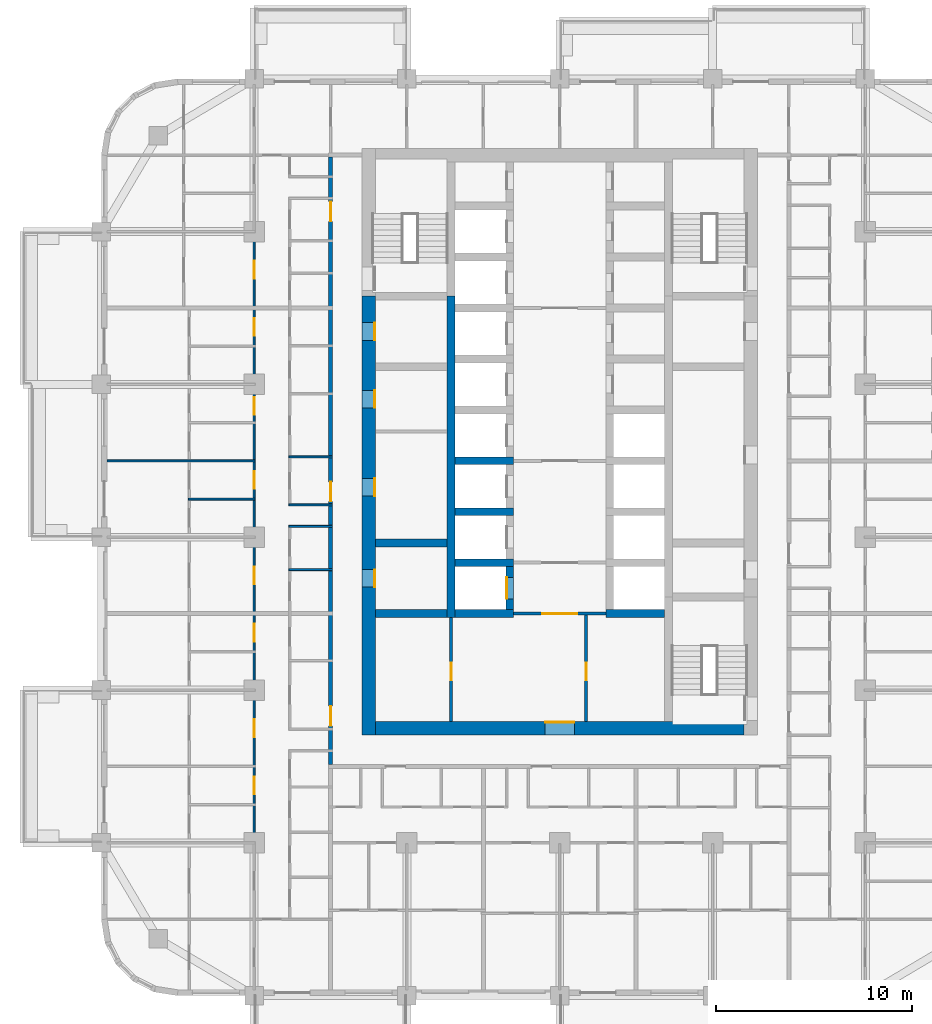
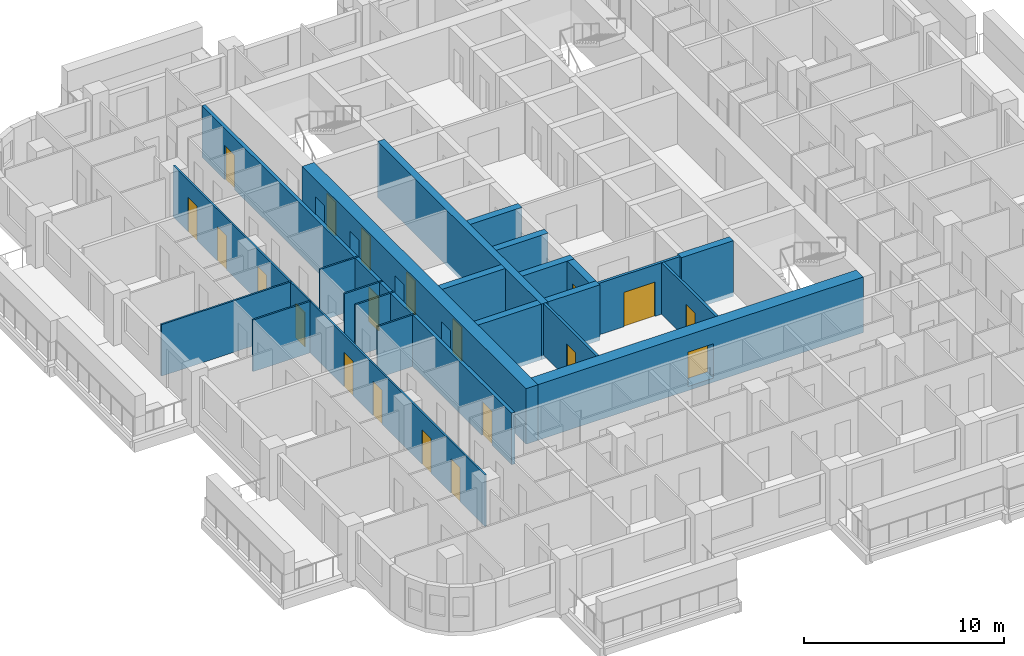
# One storey, part 6 of 18: 22 walls, 20 doors, 20 openings.
"""IFC4 building model written with IfcOpenShell, lengths in metres."""

import ifcopenshell
import ifcopenshell.guid

model = None  # the IFC model being written
_history = None  # IfcOwnerHistory: only IFC2X3 demands one
_inside = {}  # id of a spatial element -> (the spatial element, [elements in it])
_under = {}  # id of a project, library or spatial element -> (it, [spatial elements below it])
_declared = {}  # id of a project -> (the project, [libraries it declares])
_typed = {}  # id of a type object -> (the type object, [elements of that type])
_made_of = {}  # id of a material, layer set ... -> (it, [elements and type objects made of it])


def new_model(schema):
    """Start an empty IFC model of exactly this schema.

    Asked for "IFC4X3", IfcOpenShell would pick the latest addendum, in which some entities
    have other attributes; the version numbers below select the first issue.
    IFC2X3 requires an IfcOwnerHistory on every rooted entity: one is made here for all.
    """
    global model, _history
    if schema == "IFC4X3":
        model = ifcopenshell.file(schema_version=(4, 3, 0, 0))
    else:
        model = ifcopenshell.file(schema=schema)
    _inside.clear()
    _under.clear()
    _declared.clear()
    _typed.clear()
    _made_of.clear()
    _history = None
    if model.schema == "IFC2X3":
        org = make("IfcOrganization", Name="unknown")
        user = make(
            "IfcPersonAndOrganization",
            ThePerson=make("IfcPerson", FamilyName="unknown"),
            TheOrganization=org,
        )
        app = make(
            "IfcApplication",
            ApplicationDeveloper=org,
            Version="unknown",
            ApplicationFullName="unknown",
            ApplicationIdentifier="unknown",
        )
        _history = make(
            "IfcOwnerHistory",
            OwningUser=user,
            OwningApplication=app,
            ChangeAction="ADDED",
            CreationDate=0,
        )
    return model


def make(cls, **values):
    """One entity of the class cls with the attributes given. An attribute that is None is left unset."""
    return model.create_entity(
        cls, **{name: value for name, value in values.items() if value is not None}
    )


def rooted(cls, **values):
    """An entity with a GlobalId (a new one), such as an element, a storey or a relation."""
    return make(cls, GlobalId=ifcopenshell.guid.new(), OwnerHistory=_history, **values)


def si_unit(unit_type, name, prefix=None):
    """IfcSIUnit, for example si_unit("LENGTHUNIT", "METRE", prefix="MILLI")."""
    return make("IfcSIUnit", UnitType=unit_type, Prefix=prefix, Name=name)


def assignment(units):
    """IfcUnitAssignment: the units of a project."""
    return None if units is None else make("IfcUnitAssignment", Units=units)


def point(xyz):
    """IfcCartesianPoint."""
    return None if xyz is None else make("IfcCartesianPoint", Coordinates=xyz)


def direction(xyz):
    """IfcDirection."""
    return None if xyz is None else make("IfcDirection", DirectionRatios=xyz)


def frame(location, z_axis=None, x_axis=None):
    """IfcAxis2Placement3D, a coordinate frame: its origin and axes. An axis left out is left unset."""
    return make(
        "IfcAxis2Placement3D",
        Location=point(location),
        Axis=direction(z_axis),
        RefDirection=direction(x_axis),
    )


def frame_2d(location, x_axis=None):
    """IfcAxis2Placement2D, a coordinate frame in the plane: its origin and x axis."""
    return make(
        "IfcAxis2Placement2D", Location=point(location), RefDirection=direction(x_axis)
    )


def origin():
    """The frame at (0, 0, 0) with its axes left unset."""
    return frame((0.0, 0.0, 0.0))


def place(relative_to, where):
    """IfcLocalPlacement: puts the frame where relative to a parent placement (None: the world)."""
    return make(
        "IfcLocalPlacement", PlacementRelTo=relative_to, RelativePlacement=where
    )


def context(
    kind, dimensions, precision=None, world=None, true_north=None, identifier=None
):
    """IfcGeometricRepresentationContext, for example the 3D "Model" context."""
    return make(
        "IfcGeometricRepresentationContext",
        ContextIdentifier=identifier,
        ContextType=kind,
        CoordinateSpaceDimension=dimensions,
        Precision=precision,
        WorldCoordinateSystem=world,
        TrueNorth=true_north,
    )


def subcontext(parent, identifier, kind, view, scale=None):
    """IfcGeometricRepresentationSubContext, for example "Body" below "Model"."""
    return make(
        "IfcGeometricRepresentationSubContext",
        ContextIdentifier=identifier,
        ContextType=kind,
        ParentContext=parent,
        TargetScale=scale,
        TargetView=view,
    )


def project(units=None, contexts=None):
    """IfcProject with its units and contexts."""
    return rooted(
        "IfcProject",
        Name="project",
        RepresentationContexts=contexts,
        UnitsInContext=assignment(units),
    )


def spatial(cls, under=None, at=None, **own):
    """A site, building, storey or space (cls), placed at a placement, below another one or the project."""
    s = rooted(cls, ObjectPlacement=at, **own)
    if under is not None:
        _under.setdefault(under.id(), (under, []))[1].append(s)
    return s


def profile(cls, at=None, kind="AREA", **sizes):
    """A parametric profile (cls). Its sizes go by their IFC names, for example OverallWidth=200.0."""
    return make(cls, ProfileType=kind, Position=at, **sizes)


def rectangle(**sizes):
    """IfcRectangleProfileDef."""
    return profile("IfcRectangleProfileDef", **sizes)


def extrude(swept, where, along, depth):
    """IfcExtrudedAreaSolid: the profile swept, set in the frame where, extruded along a direction by depth."""
    return make(
        "IfcExtrudedAreaSolid",
        SweptArea=swept,
        Position=where,
        ExtrudedDirection=direction(along),
        Depth=depth,
    )


def shape(context_of_items, identifier, shape_type, items):
    """IfcShapeRepresentation: the items that make up one representation, for example the "Body"."""
    return make(
        "IfcShapeRepresentation",
        ContextOfItems=context_of_items,
        RepresentationIdentifier=identifier,
        RepresentationType=shape_type,
        Items=items,
    )


def material(Name=None, Category=None):
    """IfcMaterial."""
    return make("IfcMaterial", Name=Name, Category=Category)


def layer(
    of_material, thickness, ventilated=None, Name=None, Category=None, Priority=None
):
    """IfcMaterialLayer: one layer of a wall or slab, of a material (None: an air gap)."""
    return make(
        "IfcMaterialLayer",
        Material=of_material,
        LayerThickness=thickness,
        IsVentilated=ventilated,
        Name=Name,
        Category=Category,
        Priority=Priority,
    )


def layer_set(layers, Name=None):
    """IfcMaterialLayerSet."""
    return make("IfcMaterialLayerSet", MaterialLayers=layers, LayerSetName=Name)


def made_of(thing, what):
    """Note that an element or type object is made of a material, layer set ...; save() writes the relation."""
    if what is not None:
        _made_of.setdefault(what.id(), (what, []))[1].append(thing)
    return thing


def type_object(cls, material=None, **own):
    """A type object (cls), such as IfcWallType, which elements share."""
    return made_of(rooted(cls, **own), material)


def element(
    cls,
    number,
    at=None,
    inside=None,
    cuts=None,
    type_object=None,
    material=None,
    context=None,
    identifier="Body",
    shape_type=None,
    held_by="IfcProductDefinitionShape",
    body=None,
    shapes=None,
    **own,
):
    """One element of the class cls, such as IfcWall. Its Tag is "e" and its number.

    at: its placement. inside: the storey or other place that contains it. cuts: it is an
    opening in that element (IfcRelVoidsElement). A single representation is given by context,
    identifier, shape_type and body (its items); several are given by shapes. held_by: the class
    of the entity that holds the representations. save() writes the other relations.
    """
    e = rooted(cls, Tag="e%d" % number, ObjectPlacement=at, **own)
    if body is not None:
        shapes = [shape(context, identifier, shape_type, body)]
    if shapes is not None:
        e.Representation = make(held_by, Representations=shapes)
    if inside is not None:
        _inside.setdefault(inside.id(), (inside, []))[1].append(e)
    if cuts is not None:
        rooted(
            "IfcRelVoidsElement", RelatingBuildingElement=cuts, RelatedOpeningElement=e
        )
    if type_object is not None:
        _typed.setdefault(type_object.id(), (type_object, []))[1].append(e)
    return made_of(e, material)


def fill(opening, filler):
    """IfcRelFillsElement: the door or window that sits in an opening."""
    return rooted(
        "IfcRelFillsElement",
        RelatingOpeningElement=opening,
        RelatedBuildingElement=filler,
    )


def aggregate(whole, parts):
    """IfcRelAggregates: a whole, such as a stair, and the parts it consists of."""
    return rooted("IfcRelAggregates", RelatingObject=whole, RelatedObjects=parts)


def save(model, path):
    """Write the relations noted so far, then the file.

    IfcRelAggregates (storeys below a building ...), IfcRelContainedInSpatialStructure (elements
    in a storey), IfcRelDefinesByType, IfcRelAssociatesMaterial and IfcRelDeclares: one each for
    every whole, place, type object, material and project.
    """
    for whole, parts in _under.values():
        aggregate(whole, parts)
    for where, things in _inside.values():
        rooted(
            "IfcRelContainedInSpatialStructure",
            RelatedElements=things,
            RelatingStructure=where,
        )
    for kind, things in _typed.values():
        rooted("IfcRelDefinesByType", RelatedObjects=things, RelatingType=kind)
    for what, things in _made_of.values():
        rooted("IfcRelAssociatesMaterial", RelatedObjects=things, RelatingMaterial=what)
    for by, libraries in _declared.values():
        rooted("IfcRelDeclares", RelatingContext=by, RelatedDefinitions=libraries)
    model.write(path)


model = new_model("IFC4")

# Units and contexts
model_context = context("Model", 3, precision=1e-05, world=origin(), true_north=direction((0.0, 1.0)))
body_context = subcontext(model_context, "Body", "Model", "MODEL_VIEW")
ifc_project = project(units=[si_unit("LENGTHUNIT", "METRE"), si_unit("AREAUNIT", "SQUARE_METRE"), si_unit("VOLUMEUNIT", "CUBIC_METRE"), si_unit("PLANEANGLEUNIT", "RADIAN"), si_unit("MASSUNIT", "GRAM", prefix="KILO")], contexts=[model_context])

# Site, building, storey
site_placement = place(None, origin())
site = spatial("IfcSite", under=ifc_project, at=site_placement, CompositionType="ELEMENT")
building_placement = place(site_placement, origin())
building = spatial("IfcBuilding", under=site, at=building_placement, Name="Ludao Terraces", CompositionType="ELEMENT")
storey_placement = place(building_placement, frame((0.0, 0.0, 78.39990234375)))
storey = spatial("IfcBuildingStorey", under=building, at=storey_placement, Name="L21", CompositionType="ELEMENT", Elevation=78.39990234375)

# Wall, openings, doors
ifc_material_1 = material(Name="Concrete C70", Category="concrete")
ifc_layer_1 = layer(ifc_material_1, 0.699951171875)
ifc_layer_set_1 = layer_set([ifc_layer_1], Name="Core wall 700 C70")
wall_type_1 = type_object("IfcWallType", Name="Core wall 700 C70", PredefinedType="SOLIDWALL", material=ifc_layer_set_1)
wall_1_placement = place(storey_placement, frame((75.25, 54.89990234375, -0.25), z_axis=(0.0, 0.0, 1.0), x_axis=(0.0, 1.0, 0.0)))
wall_1 = element("IfcWall", 1, at=wall_1_placement, inside=storey, type_object=wall_type_1, Name="Core wall L21 outer-W", PredefinedType="SOLIDWALL", context=body_context, shape_type="SweptSolid", body=[
    extrude(rectangle(XDim=22.400146484375, YDim=0.699951171875, at=frame_2d((11.2001953125, 0.0))), origin(), (0.0, 0.0, 1.0), 3.400146484375),
])
opening_1_placement = place(wall_1_placement, frame((7.550048828125, 0.0, 0.25)))
opening_1 = element("IfcOpeningElement", 2, at=opening_1_placement, cuts=wall_1, Name="Opening R06-076", PredefinedType="OPENING", context=body_context, shape_type="SweptSolid", body=[
    extrude(rectangle(XDim=0.89990234375, YDim=2.10009765625, at=frame_2d((0.449951171875, 1.050048828125))), frame((0.0, 0.35986328125, 0.0), z_axis=(0.0, -1.0, 0.0), x_axis=(1.0, 0.0, 0.0)), (0.0, 0.0, 1.0), 0.719970703125),
])
opening_2_placement = place(wall_1_placement, frame((12.199951171875, 0.0, 0.25)))
opening_2 = element("IfcOpeningElement", 3, at=opening_2_placement, cuts=wall_1, Name="Opening R06-091", PredefinedType="OPENING", context=body_context, shape_type="SweptSolid", body=[
    extrude(rectangle(XDim=0.89990234375, YDim=2.10009765625, at=frame_2d((0.449951171875, 1.050048828125))), frame((0.0, 0.35986328125, 0.0), z_axis=(0.0, -1.0, 0.0), x_axis=(1.0, 0.0, 0.0)), (0.0, 0.0, 1.0), 0.719970703125),
])
opening_3_placement = place(wall_1_placement, frame((16.699951171875, 0.0, 0.25)))
opening_3 = element("IfcOpeningElement", 4, at=opening_3_placement, cuts=wall_1, Name="Opening R06-109", PredefinedType="OPENING", context=body_context, shape_type="SweptSolid", body=[
    extrude(rectangle(XDim=0.89990234375, YDim=2.10009765625, at=frame_2d((0.449951171875, 1.050048828125))), frame((0.0, 0.35986328125, 0.0), z_axis=(0.0, -1.0, 0.0), x_axis=(1.0, 0.0, 0.0)), (0.0, 0.0, 1.0), 0.719970703125),
])
opening_4_placement = place(wall_1_placement, frame((20.14990234375, 0.0, 0.25)))
opening_4 = element("IfcOpeningElement", 5, at=opening_4_placement, cuts=wall_1, Name="Opening R06-121", PredefinedType="OPENING", context=body_context, shape_type="SweptSolid", body=[
    extrude(rectangle(XDim=0.89990234375, YDim=2.10009765625, at=frame_2d((0.449951171875, 1.050048828125))), frame((0.0, 0.35986328125, 0.0), z_axis=(0.0, -1.0, 0.0), x_axis=(1.0, 0.0, 0.0)), (0.0, 0.0, 1.0), 0.719970703125),
])
ifc_material_2 = material(Name="Steel Q235", Category="steel")
door_type_1 = type_object("IfcDoorType", Name="INT Riser door 900", OperationType="SINGLE_SWING_LEFT", PredefinedType="DOOR", material=ifc_material_2)
door_1_placement = place(opening_1_placement, origin())
door_1 = element("IfcDoor", 6, at=door_1_placement, inside=storey, type_object=door_type_1, Name="DOOR 076", OperationType="SINGLE_SWING_RIGHT", OverallHeight=2.10009765625, OverallWidth=0.89990234375, PredefinedType="DOOR", context=body_context, shape_type="SweptSolid", body=[
    extrude(rectangle(XDim=0.89990234375, YDim=2.10009765625, at=frame_2d((0.449951171875, 1.050048828125))), frame((0.0, -0.28515625, 0.0), z_axis=(0.0, -1.0, 0.0), x_axis=(1.0, 0.0, 0.0)), (0.0, 0.0, 1.0), 0.050048828125),
])
fill(opening_1, door_1)
door_2_placement = place(opening_4_placement, origin())
door_2 = element("IfcDoor", 7, at=door_2_placement, inside=storey, type_object=door_type_1, Name="DOOR 121", OperationType="SINGLE_SWING_RIGHT", OverallHeight=2.10009765625, OverallWidth=0.89990234375, PredefinedType="DOOR", context=body_context, shape_type="SweptSolid", body=[
    extrude(rectangle(XDim=0.89990234375, YDim=2.10009765625, at=frame_2d((0.449951171875, 1.050048828125))), frame((0.0, -0.28515625, 0.0), z_axis=(0.0, -1.0, 0.0), x_axis=(1.0, 0.0, 0.0)), (0.0, 0.0, 1.0), 0.050048828125),
])
fill(opening_4, door_2)
ifc_material_3 = material(Name="Timber door leaf", Category="wood")
door_type_2 = type_object("IfcDoorType", Name="INT Room door 900", OperationType="SINGLE_SWING_LEFT", PredefinedType="DOOR", material=ifc_material_3)
door_3_placement = place(opening_2_placement, origin())
door_3 = element("IfcDoor", 8, at=door_3_placement, inside=storey, type_object=door_type_2, Name="DOOR 091", OperationType="SINGLE_SWING_RIGHT", OverallHeight=2.10009765625, OverallWidth=0.89990234375, PredefinedType="DOOR", context=body_context, shape_type="SweptSolid", body=[
    extrude(rectangle(XDim=0.89990234375, YDim=2.10009765625, at=frame_2d((0.449951171875, 1.050048828125))), frame((0.0, -0.28515625, 0.0), z_axis=(0.0, -1.0, 0.0), x_axis=(1.0, 0.0, 0.0)), (0.0, 0.0, 1.0), 0.050048828125),
])
fill(opening_2, door_3)
door_4_placement = place(opening_3_placement, origin())
door_4 = element("IfcDoor", 9, at=door_4_placement, inside=storey, type_object=door_type_2, Name="DOOR 109", OperationType="SINGLE_SWING_LEFT", OverallHeight=2.10009765625, OverallWidth=0.89990234375, PredefinedType="DOOR", context=body_context, shape_type="SweptSolid", body=[
    extrude(rectangle(XDim=0.89990234375, YDim=2.10009765625, at=frame_2d((0.449951171875, 1.050048828125))), frame((0.0, -0.28515625, 0.0), z_axis=(0.0, -1.0, 0.0), x_axis=(1.0, 0.0, 0.0)), (0.0, 0.0, 1.0), 0.050048828125),
])
fill(opening_3, door_4)

# Wall, opening, door
wall_2_placement = place(storey_placement, frame((75.60009765625, 55.25, -0.25), z_axis=(0.0, 0.0, 1.0), x_axis=(1.0, 0.0, 0.0)))
wall_2 = element("IfcWall", 10, at=wall_2_placement, inside=storey, type_object=wall_type_1, Name="Core wall L21 outer-S", PredefinedType="SOLIDWALL", context=body_context, shape_type="SweptSolid", body=[
    extrude(rectangle(XDim=18.7998046875, YDim=0.699951171875, at=frame_2d((9.39990234375, 0.0))), origin(), (0.0, 0.0, 1.0), 3.400146484375),
])
opening_5_placement = place(wall_2_placement, frame((8.64990234375, 0.0, 0.25)))
opening_5 = element("IfcOpeningElement", 11, at=opening_5_placement, cuts=wall_2, Name="Opening R06-053", PredefinedType="OPENING", context=body_context, shape_type="SweptSolid", body=[
    extrude(rectangle(XDim=1.5, YDim=2.10009765625, at=frame_2d((0.75, 1.050048828125))), frame((0.0, 0.35986328125, 0.0), z_axis=(0.0, -1.0, 0.0), x_axis=(1.0, 0.0, 0.0)), (0.0, 0.0, 1.0), 0.719970703125),
])
door_type_3 = type_object("IfcDoorType", Name="INT Lobby door 1500", OperationType="DOUBLE_DOOR_SINGLE_SWING", PredefinedType="DOOR", material=ifc_material_2)
door_5_placement = place(opening_5_placement, origin())
door_5 = element("IfcDoor", 12, at=door_5_placement, inside=storey, type_object=door_type_3, Name="DOOR 053", OperationType="DOUBLE_DOOR_SINGLE_SWING", OverallHeight=2.10009765625, OverallWidth=1.5, PredefinedType="DOOR", context=body_context, shape_type="SweptSolid", body=[
    extrude(rectangle(XDim=1.5, YDim=2.10009765625, at=frame_2d((0.75, 1.050048828125))), frame((0.0, 0.3349609375, 0.0), z_axis=(0.0, -1.0, 0.0), x_axis=(1.0, 0.0, 0.0)), (0.0, 0.0, 1.0), 0.050048828125),
])
fill(opening_5, door_5)

ifc_material_4 = material(Name="Fire-rated gypsum plasterboard", Category="gypsum")
ifc_layer_2 = layer(ifc_material_4, 0.012451171875, Category="gypsum")
ifc_material_5 = material(Name="Mineral wool")
ifc_layer_3 = layer(ifc_material_5, 0.10009765625, Name="insulation")
ifc_layer_4 = layer(ifc_material_2, 0.02490234375, Name="stud")
ifc_layer_5 = layer(ifc_material_4, 0.012451171875, Category="gypsum")
ifc_layer_set_2 = layer_set([ifc_layer_2, ifc_layer_3, ifc_layer_4, ifc_layer_5], Name="INT Core partition 150")
wall_type_2 = type_object("IfcWallType", Name="INT Core partition 150", PredefinedType="PARTITIONING", material=ifc_layer_set_2)
wall_3_placement = place(storey_placement, frame((82.650146484375, 61.10009765625, 0.0), z_axis=(0.0, 0.0, 1.0), x_axis=(1.0, 0.0, 0.0)))
wall_3 = element("IfcWall", 13, at=wall_3_placement, inside=storey, type_object=wall_type_2, Name="PW-L21-PW034", PredefinedType="PARTITIONING", context=body_context, shape_type="SweptSolid", body=[
    extrude(rectangle(XDim=4.699951171875, YDim=0.14990234375, at=frame_2d((2.35009765625, 0.0))), origin(), (0.0, 0.0, 1.0), 3.150146484375),
])
opening_6_placement = place(wall_3_placement, frame((1.449951171875, 0.0, 0.0)))
opening_6 = element("IfcOpeningElement", 14, at=opening_6_placement, cuts=wall_3, Name="Opening R06-072", PredefinedType="OPENING", context=body_context, shape_type="SweptSolid", body=[
    extrude(rectangle(XDim=1.800048828125, YDim=2.10009765625, at=frame_2d((0.89990234375, 1.050048828125))), frame((0.0, 0.0849609375, 0.0), z_axis=(0.0, -1.0, 0.0), x_axis=(1.0, 0.0, 0.0)), (0.0, 0.0, 1.0), 0.169921875),
])
door_type_4 = type_object("IfcDoorType", Name="INT Fire lobby door 1800", OperationType="DOUBLE_DOOR_SINGLE_SWING", PredefinedType="DOOR", material=ifc_material_2)
door_6_placement = place(opening_6_placement, origin())
door_6 = element("IfcDoor", 15, at=door_6_placement, inside=storey, type_object=door_type_4, Name="DOOR 072", OperationType="DOUBLE_DOOR_SINGLE_SWING", OverallHeight=2.10009765625, OverallWidth=1.800048828125, PredefinedType="DOOR", context=body_context, shape_type="SweptSolid", body=[
    extrude(rectangle(XDim=1.800048828125, YDim=2.10009765625, at=frame_2d((0.89990234375, 1.050048828125))), frame((0.0, 0.02490234375, 0.0), z_axis=(0.0, -1.0, 0.0), x_axis=(1.0, 0.0, 0.0)), (0.0, 0.0, 1.0), 0.050048828125),
])
fill(opening_6, door_6)

wall_4_placement = place(storey_placement, frame((79.449951171875, 55.60009765625, 0.0), z_axis=(0.0, 0.0, 1.0), x_axis=(0.0, 1.0, 0.0)))
wall_4 = element("IfcWall", 16, at=wall_4_placement, inside=storey, type_object=wall_type_2, Name="PW-L21-PW097", PredefinedType="PARTITIONING", context=body_context, shape_type="SweptSolid", body=[
    extrude(rectangle(XDim=5.300048828125, YDim=0.14990234375, at=frame_2d((2.64990234375, 0.0))), origin(), (0.0, 0.0, 1.0), 3.150146484375),
])
opening_7_placement = place(wall_4_placement, frame((2.10009765625, 0.0, 0.0)))
opening_7 = element("IfcOpeningElement", 17, at=opening_7_placement, cuts=wall_4, Name="Opening R06-061", PredefinedType="OPENING", context=body_context, shape_type="SweptSolid", body=[
    extrude(rectangle(XDim=0.89990234375, YDim=2.10009765625, at=frame_2d((0.449951171875, 1.050048828125))), frame((0.0, 0.0849609375, 0.0), z_axis=(0.0, -1.0, 0.0), x_axis=(1.0, 0.0, 0.0)), (0.0, 0.0, 1.0), 0.169921875),
])
door_7_placement = place(opening_7_placement, origin())
door_7 = element("IfcDoor", 18, at=door_7_placement, inside=storey, type_object=door_type_2, Name="DOOR 061", OperationType="SINGLE_SWING_LEFT", OverallHeight=2.10009765625, OverallWidth=0.89990234375, PredefinedType="DOOR", context=body_context, shape_type="SweptSolid", body=[
    extrude(rectangle(XDim=0.89990234375, YDim=2.10009765625, at=frame_2d((0.449951171875, 1.050048828125))), frame((0.0, 0.02490234375, 0.0), z_axis=(0.0, -1.0, 0.0), x_axis=(1.0, 0.0, 0.0)), (0.0, 0.0, 1.0), 0.050048828125),
])
fill(opening_7, door_7)

wall_5_placement = place(storey_placement, frame((86.35009765625, 55.60009765625, 0.0), z_axis=(0.0, 0.0, 1.0), x_axis=(0.0, 1.0, 0.0)))
wall_5 = element("IfcWall", 19, at=wall_5_placement, inside=storey, type_object=wall_type_2, Name="PW-L21-PW104", PredefinedType="PARTITIONING", context=body_context, shape_type="SweptSolid", body=[
    extrude(rectangle(XDim=5.425048828125, YDim=0.14990234375, at=frame_2d((2.71240234375, 0.0))), origin(), (0.0, 0.0, 1.0), 3.150146484375),
])
opening_8_placement = place(wall_5_placement, frame((2.10009765625, 0.0, 0.0)))
opening_8 = element("IfcOpeningElement", 20, at=opening_8_placement, cuts=wall_5, Name="Opening R06-062", PredefinedType="OPENING", context=body_context, shape_type="SweptSolid", body=[
    extrude(rectangle(XDim=0.89990234375, YDim=2.10009765625, at=frame_2d((0.449951171875, 1.050048828125))), frame((0.0, 0.0849609375, 0.0), z_axis=(0.0, -1.0, 0.0), x_axis=(1.0, 0.0, 0.0)), (0.0, 0.0, 1.0), 0.169921875),
])
door_8_placement = place(opening_8_placement, origin())
door_8 = element("IfcDoor", 21, at=door_8_placement, inside=storey, type_object=door_type_2, Name="DOOR 062", OperationType="SINGLE_SWING_RIGHT", OverallHeight=2.10009765625, OverallWidth=0.89990234375, PredefinedType="DOOR", context=body_context, shape_type="SweptSolid", body=[
    extrude(rectangle(XDim=0.89990234375, YDim=2.10009765625, at=frame_2d((0.449951171875, 1.050048828125))), frame((0.0, 0.02490234375, 0.0), z_axis=(0.0, -1.0, 0.0), x_axis=(1.0, 0.0, 0.0)), (0.0, 0.0, 1.0), 0.050048828125),
])
fill(opening_8, door_8)

# Wall, openings, doors
ifc_material_6 = material(Name="Autoclaved aerated concrete block B06 A3.5", Category="concrete")
ifc_layer_6 = layer(ifc_material_6, 0.199951171875)
ifc_layer_set_3 = layer_set([ifc_layer_6], Name="INT Entrance wall 200")
wall_type_3 = type_object("IfcWallType", Name="INT Entrance wall 200", PredefinedType="PARTITIONING", material=ifc_layer_set_3)
wall_6_placement = place(storey_placement, frame((73.300048828125, 53.400146484375, 0.0), z_axis=(0.0, 0.0, 1.0), x_axis=(0.0, 1.0, 0.0)))
wall_6 = element("IfcWall", 22, at=wall_6_placement, inside=storey, type_object=wall_type_3, Name="PW-L21-PW089", PredefinedType="PARTITIONING", context=body_context, shape_type="SweptSolid", body=[
    extrude(rectangle(XDim=31.0, YDim=0.199951171875, at=frame_2d((15.5, 0.0))), origin(), (0.0, 0.0, 1.0), 3.150146484375),
])
opening_9_placement = place(wall_6_placement, frame((1.97509765625, 0.0, 0.0)))
opening_9 = element("IfcOpeningElement", 23, at=opening_9_placement, cuts=wall_6, Name="Opening R06-057", PredefinedType="OPENING", context=body_context, shape_type="SweptSolid", body=[
    extrude(rectangle(XDim=1.0, YDim=2.10009765625, at=frame_2d((0.5, 1.050048828125))), frame((0.0, 0.10986328125, 0.0), z_axis=(0.0, -1.0, 0.0), x_axis=(1.0, 0.0, 0.0)), (0.0, 0.0, 1.0), 0.219970703125),
])
opening_10_placement = place(wall_6_placement, frame((13.425048828125, 0.0, 0.0)))
opening_10 = element("IfcOpeningElement", 24, at=opening_10_placement, cuts=wall_6, Name="Opening R06-089", PredefinedType="OPENING", context=body_context, shape_type="SweptSolid", body=[
    extrude(rectangle(XDim=1.0, YDim=2.10009765625, at=frame_2d((0.5, 1.050048828125))), frame((0.0, 0.10986328125, 0.0), z_axis=(0.0, -1.0, 0.0), x_axis=(1.0, 0.0, 0.0)), (0.0, 0.0, 1.0), 0.219970703125),
])
opening_11_placement = place(wall_6_placement, frame((27.72509765625, 0.0, 0.0)))
opening_11 = element("IfcOpeningElement", 25, at=opening_11_placement, cuts=wall_6, Name="Opening R06-145", PredefinedType="OPENING", context=body_context, shape_type="SweptSolid", body=[
    extrude(rectangle(XDim=1.0, YDim=2.10009765625, at=frame_2d((0.5, 1.050048828125))), frame((0.0, 0.10986328125, 0.0), z_axis=(0.0, -1.0, 0.0), x_axis=(1.0, 0.0, 0.0)), (0.0, 0.0, 1.0), 0.219970703125),
])
door_type_5 = type_object("IfcDoorType", Name="INT Flat entrance door 1000", OperationType="SINGLE_SWING_LEFT", PredefinedType="DOOR", material=ifc_material_2)
door_9_placement = place(opening_9_placement, origin())
door_9 = element("IfcDoor", 26, at=door_9_placement, inside=storey, type_object=door_type_5, Name="DOOR 057", OperationType="SINGLE_SWING_RIGHT", OverallHeight=2.10009765625, OverallWidth=1.0, PredefinedType="DOOR", context=body_context, shape_type="SweptSolid", body=[
    extrude(rectangle(XDim=1.0, YDim=2.10009765625, at=frame_2d((0.5, 1.050048828125))), frame((0.0, 0.02490234375, 0.0), z_axis=(0.0, -1.0, 0.0), x_axis=(1.0, 0.0, 0.0)), (0.0, 0.0, 1.0), 0.050048828125),
])
fill(opening_9, door_9)
door_10_placement = place(opening_10_placement, origin())
door_10 = element("IfcDoor", 27, at=door_10_placement, inside=storey, type_object=door_type_5, Name="DOOR 089", OperationType="SINGLE_SWING_RIGHT", OverallHeight=2.10009765625, OverallWidth=1.0, PredefinedType="DOOR", context=body_context, shape_type="SweptSolid", body=[
    extrude(rectangle(XDim=1.0, YDim=2.10009765625, at=frame_2d((0.5, 1.050048828125))), frame((0.0, 0.02490234375, 0.0), z_axis=(0.0, -1.0, 0.0), x_axis=(1.0, 0.0, 0.0)), (0.0, 0.0, 1.0), 0.050048828125),
])
fill(opening_10, door_10)
door_11_placement = place(opening_11_placement, origin())
door_11 = element("IfcDoor", 28, at=door_11_placement, inside=storey, type_object=door_type_5, Name="DOOR 145", OperationType="SINGLE_SWING_LEFT", OverallHeight=2.10009765625, OverallWidth=1.0, PredefinedType="DOOR", context=body_context, shape_type="SweptSolid", body=[
    extrude(rectangle(XDim=1.0, YDim=2.10009765625, at=frame_2d((0.5, 1.050048828125))), frame((0.0, 0.02490234375, 0.0), z_axis=(0.0, -1.0, 0.0), x_axis=(1.0, 0.0, 0.0)), (0.0, 0.0, 1.0), 0.050048828125),
])
fill(opening_11, door_11)

# Walls
ifc_material_7 = material(Name="Gypsum plasterboard", Category="gypsum")
ifc_layer_7 = layer(ifc_material_7, 0.012451171875, Category="gypsum")
ifc_layer_8 = layer(ifc_material_5, 0.06005859375, Name="insulation")
ifc_layer_9 = layer(ifc_material_2, 0.014892578125, Name="stud")
ifc_layer_10 = layer(ifc_material_7, 0.012451171875, Category="gypsum")
ifc_layer_set_4 = layer_set([ifc_layer_7, ifc_layer_8, ifc_layer_9, ifc_layer_10], Name="INT Partition 100")
wall_type_4 = type_object("IfcWallType", Name="INT Partition 100", PredefinedType="PARTITIONING", material=ifc_layer_set_4)
for number, where, z_axis, x_axis, name in (
    (29, (71.18017578125, 63.35009765625, 0.0), (0.0, 0.0, 1.0), (1.0, 0.0, 0.0), "PW-L21-PW037"),
    (30, (71.18017578125, 65.550048828125, 0.0), (0.0, 0.0, 1.0), (1.0, 0.0, 0.0), "PW-L21-PW042"),
    (31, (71.18017578125, 66.64990234375, 0.0), (0.0, 0.0, 1.0), (1.0, 0.0, 0.0), "PW-L21-PW044"),
):
    element("IfcWall", number, at=place(storey_placement, frame(where, z_axis=z_axis, x_axis=x_axis)), inside=storey, type_object=wall_type_4, Name=name, PredefinedType="PARTITIONING", context=body_context, shape_type="SweptSolid", body=[
        extrude(rectangle(XDim=2.219970703125, YDim=0.10009765625, at=frame_2d((1.10986328125, 0.0))), origin(), (0.0, 0.0, 1.0), 3.150146484375),
    ])
wall_7_placement = place(storey_placement, frame((66.050048828125, 66.949951171875, 0.0), z_axis=(0.0, 0.0, 1.0), x_axis=(1.0, 0.0, 0.0)))
element("IfcWall", 32, at=wall_7_placement, inside=storey, type_object=wall_type_4, Name="PW-L21-PW045", PredefinedType="PARTITIONING", context=body_context, shape_type="SweptSolid", body=[
    extrude(rectangle(XDim=3.400146484375, YDim=0.10009765625, at=frame_2d((1.7001953125, 0.0))), origin(), (0.0, 0.0, 1.0), 3.150146484375),
])
wall_8_placement = place(storey_placement, frame((61.900146484375, 68.89990234375, 0.0), z_axis=(0.0, 0.0, 1.0), x_axis=(1.0, 0.0, 0.0)))
element("IfcWall", 33, at=wall_8_placement, inside=storey, type_object=wall_type_4, Name="PW-L21-PW047", PredefinedType="PARTITIONING", context=body_context, shape_type="SweptSolid", body=[
    extrude(rectangle(XDim=7.550048828125, YDim=0.10009765625, at=frame_2d((3.77490234375, 0.0))), origin(), (0.0, 0.0, 1.0), 3.150146484375),
])
wall_9_placement = place(storey_placement, frame((71.18017578125, 69.10009765625, 0.0), z_axis=(0.0, 0.0, 1.0), x_axis=(1.0, 0.0, 0.0)))
element("IfcWall", 34, at=wall_9_placement, inside=storey, type_object=wall_type_4, Name="PW-L21-PW050", PredefinedType="PARTITIONING", context=body_context, shape_type="SweptSolid", body=[
    extrude(rectangle(XDim=2.219970703125, YDim=0.10009765625, at=frame_2d((1.10986328125, 0.0))), origin(), (0.0, 0.0, 1.0), 3.150146484375),
])

# Wall, openings, doors
wall_10_placement = place(storey_placement, frame((69.39990234375, 49.39990234375, 0.0), z_axis=(0.0, 0.0, 1.0), x_axis=(0.0, 1.0, 0.0)))
wall_10 = element("IfcWall", 35, at=wall_10_placement, inside=storey, type_object=wall_type_4, Name="PW-L21-PW083-2", PredefinedType="PARTITIONING", context=body_context, shape_type="SweptSolid", body=[
    extrude(rectangle(XDim=31.2001953125, YDim=0.10009765625, at=frame_2d((15.60009765625, 0.0))), origin(), (0.0, 0.0, 1.0), 3.150146484375),
])
opening_12_placement = place(wall_10_placement, frame((2.47509765625, 0.0, 0.0)))
opening_12 = element("IfcOpeningElement", 36, at=opening_12_placement, cuts=wall_10, Name="Opening R06-045", PredefinedType="OPENING", context=body_context, shape_type="SweptSolid", body=[
    extrude(rectangle(XDim=0.89990234375, YDim=2.10009765625, at=frame_2d((0.449951171875, 1.050048828125))), frame((0.0, 0.06005859375, 0.0), z_axis=(0.0, -1.0, 0.0), x_axis=(1.0, 0.0, 0.0)), (0.0, 0.0, 1.0), 0.1201171875),
])
opening_13_placement = place(wall_10_placement, frame((5.400146484375, 0.0, 0.0)))
opening_13 = element("IfcOpeningElement", 37, at=opening_13_placement, cuts=wall_10, Name="Opening R06-052", PredefinedType="OPENING", context=body_context, shape_type="SweptSolid", body=[
    extrude(rectangle(XDim=0.89990234375, YDim=2.10009765625, at=frame_2d((0.449951171875, 1.050048828125))), frame((0.0, 0.06005859375, 0.0), z_axis=(0.0, -1.0, 0.0), x_axis=(1.0, 0.0, 0.0)), (0.0, 0.0, 1.0), 0.1201171875),
])
opening_14_placement = place(wall_10_placement, frame((10.275146484375, 0.0, 0.0)))
opening_14 = element("IfcOpeningElement", 38, at=opening_14_placement, cuts=wall_10, Name="Opening R06-068", PredefinedType="OPENING", context=body_context, shape_type="SweptSolid", body=[
    extrude(rectangle(XDim=0.89990234375, YDim=2.10009765625, at=frame_2d((0.449951171875, 1.050048828125))), frame((0.0, 0.06005859375, 0.0), z_axis=(0.0, -1.0, 0.0), x_axis=(1.0, 0.0, 0.0)), (0.0, 0.0, 1.0), 0.1201171875),
])
opening_15_placement = place(wall_10_placement, frame((13.2001953125, 0.0, 0.0)))
opening_15 = element("IfcOpeningElement", 39, at=opening_15_placement, cuts=wall_10, Name="Opening R06-078", PredefinedType="OPENING", context=body_context, shape_type="SweptSolid", body=[
    extrude(rectangle(XDim=0.89990234375, YDim=2.10009765625, at=frame_2d((0.449951171875, 1.050048828125))), frame((0.0, 0.06005859375, 0.0), z_axis=(0.0, -1.0, 0.0), x_axis=(1.0, 0.0, 0.0)), (0.0, 0.0, 1.0), 0.1201171875),
])
opening_16_placement = place(wall_10_placement, frame((18.0751953125, 0.0, 0.0)))
opening_16 = element("IfcOpeningElement", 40, at=opening_16_placement, cuts=wall_10, Name="Opening R06-095", PredefinedType="OPENING", context=body_context, shape_type="SweptSolid", body=[
    extrude(rectangle(XDim=0.89990234375, YDim=2.10009765625, at=frame_2d((0.449951171875, 1.050048828125))), frame((0.0, 0.06005859375, 0.0), z_axis=(0.0, -1.0, 0.0), x_axis=(1.0, 0.0, 0.0)), (0.0, 0.0, 1.0), 0.1201171875),
])
opening_17_placement = place(wall_10_placement, frame((21.85009765625, 0.0, 0.0)))
opening_17 = element("IfcOpeningElement", 41, at=opening_17_placement, cuts=wall_10, Name="Opening R06-105", PredefinedType="OPENING", context=body_context, shape_type="SweptSolid", body=[
    extrude(rectangle(XDim=0.89990234375, YDim=2.10009765625, at=frame_2d((0.449951171875, 1.050048828125))), frame((0.0, 0.06005859375, 0.0), z_axis=(0.0, -1.0, 0.0), x_axis=(1.0, 0.0, 0.0)), (0.0, 0.0, 1.0), 0.1201171875),
])
opening_18_placement = place(wall_10_placement, frame((25.875244140625, 0.0, 0.0)))
opening_18 = element("IfcOpeningElement", 42, at=opening_18_placement, cuts=wall_10, Name="Opening R06-124", PredefinedType="OPENING", context=body_context, shape_type="SweptSolid", body=[
    extrude(rectangle(XDim=0.89990234375, YDim=2.10009765625, at=frame_2d((0.449951171875, 1.050048828125))), frame((0.0, 0.06005859375, 0.0), z_axis=(0.0, -1.0, 0.0), x_axis=(1.0, 0.0, 0.0)), (0.0, 0.0, 1.0), 0.1201171875),
])
opening_19_placement = place(wall_10_placement, frame((28.80029296875, 0.0, 0.0)))
opening_19 = element("IfcOpeningElement", 43, at=opening_19_placement, cuts=wall_10, Name="Opening R06-134", PredefinedType="OPENING", context=body_context, shape_type="SweptSolid", body=[
    extrude(rectangle(XDim=0.89990234375, YDim=2.10009765625, at=frame_2d((0.449951171875, 1.050048828125))), frame((0.0, 0.06005859375, 0.0), z_axis=(0.0, -1.0, 0.0), x_axis=(1.0, 0.0, 0.0)), (0.0, 0.0, 1.0), 0.1201171875),
])
door_12_placement = place(opening_12_placement, origin())
door_12 = element("IfcDoor", 44, at=door_12_placement, inside=storey, type_object=door_type_2, Name="DOOR 045", OperationType="SINGLE_SWING_RIGHT", OverallHeight=2.10009765625, OverallWidth=0.89990234375, PredefinedType="DOOR", context=body_context, shape_type="SweptSolid", body=[
    extrude(rectangle(XDim=0.89990234375, YDim=2.10009765625, at=frame_2d((0.449951171875, 1.050048828125))), frame((0.0, 0.02490234375, 0.0), z_axis=(0.0, -1.0, 0.0), x_axis=(1.0, 0.0, 0.0)), (0.0, 0.0, 1.0), 0.050048828125),
])
fill(opening_12, door_12)
door_13_placement = place(opening_13_placement, origin())
door_13 = element("IfcDoor", 45, at=door_13_placement, inside=storey, type_object=door_type_2, Name="DOOR 052", OperationType="SINGLE_SWING_LEFT", OverallHeight=2.10009765625, OverallWidth=0.89990234375, PredefinedType="DOOR", context=body_context, shape_type="SweptSolid", body=[
    extrude(rectangle(XDim=0.89990234375, YDim=2.10009765625, at=frame_2d((0.449951171875, 1.050048828125))), frame((0.0, 0.02490234375, 0.0), z_axis=(0.0, -1.0, 0.0), x_axis=(1.0, 0.0, 0.0)), (0.0, 0.0, 1.0), 0.050048828125),
])
fill(opening_13, door_13)
door_14_placement = place(opening_14_placement, origin())
door_14 = element("IfcDoor", 46, at=door_14_placement, inside=storey, type_object=door_type_2, Name="DOOR 068", OperationType="SINGLE_SWING_LEFT", OverallHeight=2.10009765625, OverallWidth=0.89990234375, PredefinedType="DOOR", context=body_context, shape_type="SweptSolid", body=[
    extrude(rectangle(XDim=0.89990234375, YDim=2.10009765625, at=frame_2d((0.449951171875, 1.050048828125))), frame((0.0, 0.02490234375, 0.0), z_axis=(0.0, -1.0, 0.0), x_axis=(1.0, 0.0, 0.0)), (0.0, 0.0, 1.0), 0.050048828125),
])
fill(opening_14, door_14)
door_15_placement = place(opening_15_placement, origin())
door_15 = element("IfcDoor", 47, at=door_15_placement, inside=storey, type_object=door_type_2, Name="DOOR 078", OperationType="SINGLE_SWING_LEFT", OverallHeight=2.10009765625, OverallWidth=0.89990234375, PredefinedType="DOOR", context=body_context, shape_type="SweptSolid", body=[
    extrude(rectangle(XDim=0.89990234375, YDim=2.10009765625, at=frame_2d((0.449951171875, 1.050048828125))), frame((0.0, 0.02490234375, 0.0), z_axis=(0.0, -1.0, 0.0), x_axis=(1.0, 0.0, 0.0)), (0.0, 0.0, 1.0), 0.050048828125),
])
fill(opening_15, door_15)
door_16_placement = place(opening_16_placement, origin())
door_16 = element("IfcDoor", 48, at=door_16_placement, inside=storey, type_object=door_type_2, Name="DOOR 095", OperationType="SINGLE_SWING_RIGHT", OverallHeight=2.10009765625, OverallWidth=0.89990234375, PredefinedType="DOOR", context=body_context, shape_type="SweptSolid", body=[
    extrude(rectangle(XDim=0.89990234375, YDim=2.10009765625, at=frame_2d((0.449951171875, 1.050048828125))), frame((0.0, 0.02490234375, 0.0), z_axis=(0.0, -1.0, 0.0), x_axis=(1.0, 0.0, 0.0)), (0.0, 0.0, 1.0), 0.050048828125),
])
fill(opening_16, door_16)
door_17_placement = place(opening_17_placement, origin())
door_17 = element("IfcDoor", 49, at=door_17_placement, inside=storey, type_object=door_type_2, Name="DOOR 105", OperationType="SINGLE_SWING_LEFT", OverallHeight=2.10009765625, OverallWidth=0.89990234375, PredefinedType="DOOR", context=body_context, shape_type="SweptSolid", body=[
    extrude(rectangle(XDim=0.89990234375, YDim=2.10009765625, at=frame_2d((0.449951171875, 1.050048828125))), frame((0.0, 0.02490234375, 0.0), z_axis=(0.0, -1.0, 0.0), x_axis=(1.0, 0.0, 0.0)), (0.0, 0.0, 1.0), 0.050048828125),
])
fill(opening_17, door_17)
door_18_placement = place(opening_18_placement, origin())
door_18 = element("IfcDoor", 50, at=door_18_placement, inside=storey, type_object=door_type_2, Name="DOOR 124", OperationType="SINGLE_SWING_RIGHT", OverallHeight=2.10009765625, OverallWidth=0.89990234375, PredefinedType="DOOR", context=body_context, shape_type="SweptSolid", body=[
    extrude(rectangle(XDim=0.89990234375, YDim=2.10009765625, at=frame_2d((0.449951171875, 1.050048828125))), frame((0.0, 0.02490234375, 0.0), z_axis=(0.0, -1.0, 0.0), x_axis=(1.0, 0.0, 0.0)), (0.0, 0.0, 1.0), 0.050048828125),
])
fill(opening_18, door_18)
door_19_placement = place(opening_19_placement, origin())
door_19 = element("IfcDoor", 51, at=door_19_placement, inside=storey, type_object=door_type_2, Name="DOOR 134", OperationType="SINGLE_SWING_RIGHT", OverallHeight=2.10009765625, OverallWidth=0.89990234375, PredefinedType="DOOR", context=body_context, shape_type="SweptSolid", body=[
    extrude(rectangle(XDim=0.89990234375, YDim=2.10009765625, at=frame_2d((0.449951171875, 1.050048828125))), frame((0.0, 0.02490234375, 0.0), z_axis=(0.0, -1.0, 0.0), x_axis=(1.0, 0.0, 0.0)), (0.0, 0.0, 1.0), 0.050048828125),
])
fill(opening_19, door_19)

# Walls
ifc_material_8 = material(Name="Concrete C60", Category="concrete")
ifc_layer_11 = layer(ifc_material_8, 0.39990234375)
ifc_layer_set_5 = layer_set([ifc_layer_11], Name="Shaft wall 400 C60")
wall_type_5 = type_object("IfcWallType", Name="Shaft wall 400 C60", PredefinedType="SOLIDWALL", material=ifc_layer_set_5)
wall_11_placement = place(storey_placement, frame((79.449951171875, 60.89990234375, -0.25), z_axis=(0.0, 0.0, 1.0), x_axis=(0.0, 1.0, 0.0)))
element("IfcWall", 52, at=wall_11_placement, inside=storey, type_object=wall_type_5, Name="Core wall L21 back-W", PredefinedType="SOLIDWALL", context=body_context, shape_type="SweptSolid", body=[
    extrude(rectangle(XDim=16.400146484375, YDim=0.39990234375, at=frame_2d((8.2001953125, 0.0))), origin(), (0.0, 0.0, 1.0), 3.400146484375),
])
wall_12_placement = place(storey_placement, frame((79.64990234375, 61.10009765625, -0.25), z_axis=(0.0, 0.0, 1.0), x_axis=(1.0, 0.0, 0.0)))
element("IfcWall", 53, at=wall_12_placement, inside=storey, type_object=wall_type_5, Name="Core wall L21 div-W1", PredefinedType="SOLIDWALL", context=body_context, shape_type="SweptSolid", body=[
    extrude(rectangle(XDim=3.0, YDim=0.39990234375, at=frame_2d((1.5, 0.0))), origin(), (0.0, 0.0, 1.0), 3.400146484375),
])

# Wall, opening, door
wall_13_placement = place(storey_placement, frame((82.449951171875, 61.300048828125, -0.25), z_axis=(0.0, 0.0, 1.0), x_axis=(0.0, 1.0, 0.0)))
wall_13 = element("IfcWall", 54, at=wall_13_placement, inside=storey, type_object=wall_type_5, Name="Core wall L21 front-W1", PredefinedType="SOLIDWALL", context=body_context, shape_type="SweptSolid", body=[
    extrude(rectangle(XDim=2.199951171875, YDim=0.39990234375, at=frame_2d((1.10009765625, 0.0))), origin(), (0.0, 0.0, 1.0), 3.400146484375),
])
opening_20_placement = place(wall_13_placement, frame((0.550048828125, 0.0, 0.25)))
opening_20 = element("IfcOpeningElement", 55, at=opening_20_placement, cuts=wall_13, Name="Opening LD-LA1", PredefinedType="OPENING", context=body_context, shape_type="SweptSolid", body=[
    extrude(rectangle(XDim=1.10009765625, YDim=2.10009765625, at=frame_2d((0.550048828125, 1.050048828125))), frame((0.0, 0.2099609375, 0.0), z_axis=(0.0, -1.0, 0.0), x_axis=(1.0, 0.0, 0.0)), (0.0, 0.0, 1.0), 0.419921875),
])
ifc_material_9 = material(Name="Stainless steel 304", Category="steel")
door_type_6 = type_object("IfcDoorType", Name="INT Lift landing door 1100", OperationType="SLIDING_TO_LEFT", PredefinedType="DOOR", material=ifc_material_9)
door_20_placement = place(opening_20_placement, origin())
door_20 = element("IfcDoor", 56, at=door_20_placement, inside=storey, type_object=door_type_6, Name="LANDING DOOR LA1 L21", OperationType="SLIDING_TO_RIGHT", OverallHeight=2.10009765625, OverallWidth=1.10009765625, PredefinedType="DOOR", context=body_context, shape_type="SweptSolid", body=[
    extrude(rectangle(XDim=1.10009765625, YDim=2.10009765625, at=frame_2d((0.550048828125, 1.050048828125))), frame((0.0, 0.18505859375, 0.0), z_axis=(0.0, -1.0, 0.0), x_axis=(1.0, 0.0, 0.0)), (0.0, 0.0, 1.0), 0.050048828125),
])
fill(opening_20, door_20)

# Walls
for number, where, z_axis, x_axis, name in (
    (57, (79.64990234375, 63.699951171875, -0.25), (0.0, 0.0, 1.0), (1.0, 0.0, 0.0), "Core wall L21 div-W2"),
    (58, (79.64990234375, 66.300048828125, -0.25), (0.0, 0.0, 1.0), (1.0, 0.0, 0.0), "Core wall L21 div-W3"),
    (59, (79.64990234375, 68.89990234375, -0.25), (0.0, 0.0, 1.0), (1.0, 0.0, 0.0), "Core wall L21 div-W4"),
    (60, (87.35009765625, 61.10009765625, -0.25), (0.0, 0.0, 1.0), (1.0, 0.0, 0.0), "Core wall L21 div-E1"),
):
    element("IfcWall", number, at=place(storey_placement, frame(where, z_axis=z_axis, x_axis=x_axis)), inside=storey, type_object=wall_type_5, Name=name, PredefinedType="SOLIDWALL", context=body_context, shape_type="SweptSolid", body=[
        extrude(rectangle(XDim=3.0, YDim=0.39990234375, at=frame_2d((1.5, 0.0))), origin(), (0.0, 0.0, 1.0), 3.400146484375),
    ])
for number, where, z_axis, x_axis, name in (
    (61, (75.60009765625, 61.10009765625, -0.25), (0.0, 0.0, 1.0), (1.0, 0.0, 0.0), "Core wall L21 hall-W"),
    (62, (75.60009765625, 64.699951171875, -0.25), (0.0, 0.0, 1.0), (1.0, 0.0, 0.0), "Core wall L21 riser-a-W"),
):
    element("IfcWall", number, at=place(storey_placement, frame(where, z_axis=z_axis, x_axis=x_axis)), inside=storey, type_object=wall_type_5, Name=name, PredefinedType="SOLIDWALL", context=body_context, shape_type="SweptSolid", body=[
        extrude(rectangle(XDim=3.64990234375, YDim=0.39990234375, at=frame_2d((1.824951171875, 0.0))), origin(), (0.0, 0.0, 1.0), 3.400146484375),
    ])

save(model, "model.ifc")
